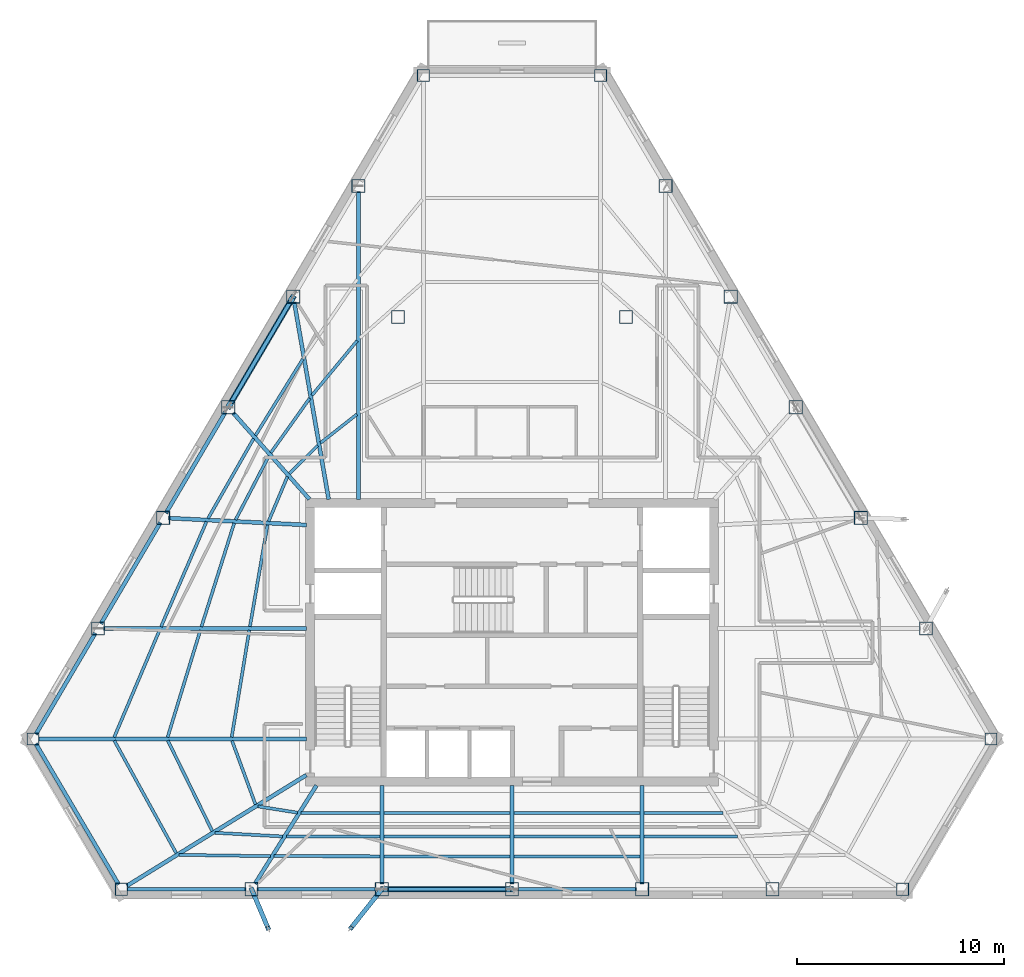
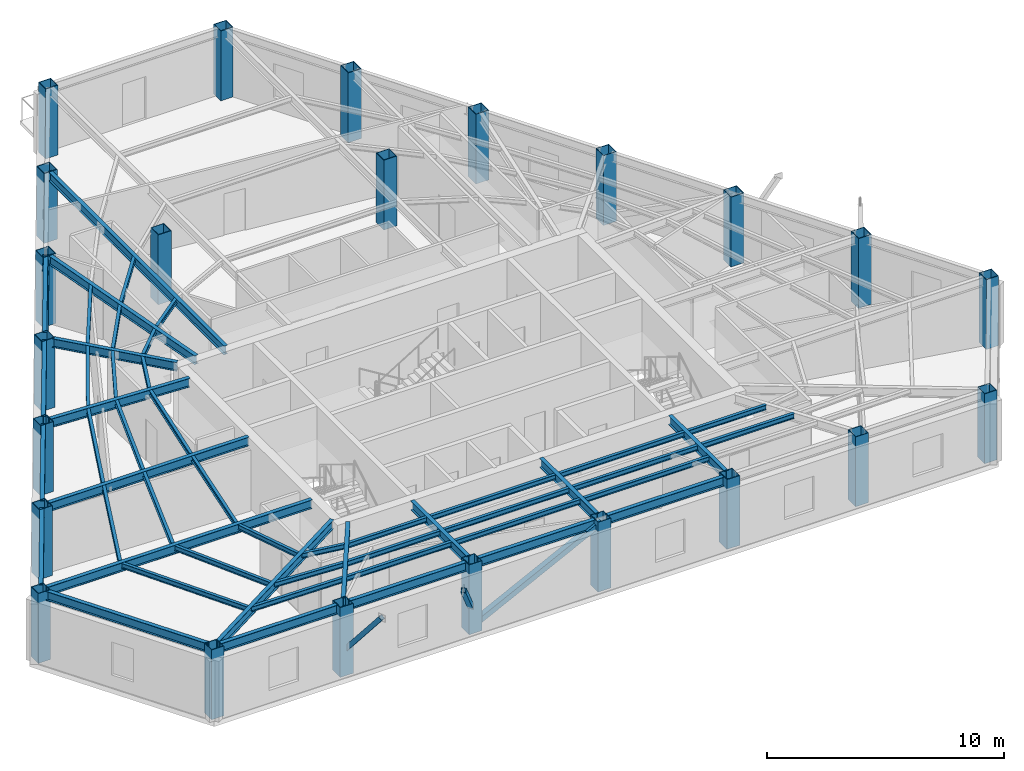
# One storey, part 1 of 12: 51 beams, 23 columns, 4 members.
"""IFC4 building model written with IfcOpenShell, lengths in metres."""

import ifcopenshell
import ifcopenshell.guid

model = None  # the IFC model being written
_history = None  # IfcOwnerHistory: only IFC2X3 demands one
_inside = {}  # id of a spatial element -> (the spatial element, [elements in it])
_under = {}  # id of a project, library or spatial element -> (it, [spatial elements below it])
_declared = {}  # id of a project -> (the project, [libraries it declares])
_typed = {}  # id of a type object -> (the type object, [elements of that type])
_made_of = {}  # id of a material, layer set ... -> (it, [elements and type objects made of it])


def new_model(schema):
    """Start an empty IFC model of exactly this schema.

    Asked for "IFC4X3", IfcOpenShell would pick the latest addendum, in which some entities
    have other attributes; the version numbers below select the first issue.
    IFC2X3 requires an IfcOwnerHistory on every rooted entity: one is made here for all.
    """
    global model, _history
    if schema == "IFC4X3":
        model = ifcopenshell.file(schema_version=(4, 3, 0, 0))
    else:
        model = ifcopenshell.file(schema=schema)
    _inside.clear()
    _under.clear()
    _declared.clear()
    _typed.clear()
    _made_of.clear()
    _history = None
    if model.schema == "IFC2X3":
        org = make("IfcOrganization", Name="unknown")
        user = make(
            "IfcPersonAndOrganization",
            ThePerson=make("IfcPerson", FamilyName="unknown"),
            TheOrganization=org,
        )
        app = make(
            "IfcApplication",
            ApplicationDeveloper=org,
            Version="unknown",
            ApplicationFullName="unknown",
            ApplicationIdentifier="unknown",
        )
        _history = make(
            "IfcOwnerHistory",
            OwningUser=user,
            OwningApplication=app,
            ChangeAction="ADDED",
            CreationDate=0,
        )
    return model


def make(cls, **values):
    """One entity of the class cls with the attributes given. An attribute that is None is left unset."""
    return model.create_entity(
        cls, **{name: value for name, value in values.items() if value is not None}
    )


def rooted(cls, **values):
    """An entity with a GlobalId (a new one), such as an element, a storey or a relation."""
    return make(cls, GlobalId=ifcopenshell.guid.new(), OwnerHistory=_history, **values)


def si_unit(unit_type, name, prefix=None):
    """IfcSIUnit, for example si_unit("LENGTHUNIT", "METRE", prefix="MILLI")."""
    return make("IfcSIUnit", UnitType=unit_type, Prefix=prefix, Name=name)


def assignment(units):
    """IfcUnitAssignment: the units of a project."""
    return None if units is None else make("IfcUnitAssignment", Units=units)


def point(xyz):
    """IfcCartesianPoint."""
    return None if xyz is None else make("IfcCartesianPoint", Coordinates=xyz)


def direction(xyz):
    """IfcDirection."""
    return None if xyz is None else make("IfcDirection", DirectionRatios=xyz)


def frame(location, z_axis=None, x_axis=None):
    """IfcAxis2Placement3D, a coordinate frame: its origin and axes. An axis left out is left unset."""
    return make(
        "IfcAxis2Placement3D",
        Location=point(location),
        Axis=direction(z_axis),
        RefDirection=direction(x_axis),
    )


def frame_2d(location, x_axis=None):
    """IfcAxis2Placement2D, a coordinate frame in the plane: its origin and x axis."""
    return make(
        "IfcAxis2Placement2D", Location=point(location), RefDirection=direction(x_axis)
    )


def origin():
    """The frame at (0, 0, 0) with its axes left unset."""
    return frame((0.0, 0.0, 0.0))


def origin_2d():
    """The frame at (0, 0) in the plane with its x axis left unset."""
    return frame_2d((0.0, 0.0))


def place(relative_to, where):
    """IfcLocalPlacement: puts the frame where relative to a parent placement (None: the world)."""
    return make(
        "IfcLocalPlacement", PlacementRelTo=relative_to, RelativePlacement=where
    )


def context(
    kind, dimensions, precision=None, world=None, true_north=None, identifier=None
):
    """IfcGeometricRepresentationContext, for example the 3D "Model" context."""
    return make(
        "IfcGeometricRepresentationContext",
        ContextIdentifier=identifier,
        ContextType=kind,
        CoordinateSpaceDimension=dimensions,
        Precision=precision,
        WorldCoordinateSystem=world,
        TrueNorth=true_north,
    )


def subcontext(parent, identifier, kind, view, scale=None):
    """IfcGeometricRepresentationSubContext, for example "Body" below "Model"."""
    return make(
        "IfcGeometricRepresentationSubContext",
        ContextIdentifier=identifier,
        ContextType=kind,
        ParentContext=parent,
        TargetScale=scale,
        TargetView=view,
    )


def project(units=None, contexts=None):
    """IfcProject with its units and contexts."""
    return rooted(
        "IfcProject",
        Name="project",
        RepresentationContexts=contexts,
        UnitsInContext=assignment(units),
    )


def spatial(cls, under=None, at=None, **own):
    """A site, building, storey or space (cls), placed at a placement, below another one or the project."""
    s = rooted(cls, ObjectPlacement=at, **own)
    if under is not None:
        _under.setdefault(under.id(), (under, []))[1].append(s)
    return s


def profile(cls, at=None, kind="AREA", **sizes):
    """A parametric profile (cls). Its sizes go by their IFC names, for example OverallWidth=200.0."""
    return make(cls, ProfileType=kind, Position=at, **sizes)


def hollow_rectangle(**sizes):
    """IfcRectangleHollowProfileDef."""
    return profile("IfcRectangleHollowProfileDef", **sizes)


def i_section(**sizes):
    """IfcIShapeProfileDef."""
    return profile("IfcIShapeProfileDef", **sizes)


def extrude(swept, where, along, depth):
    """IfcExtrudedAreaSolid: the profile swept, set in the frame where, extruded along a direction by depth."""
    return make(
        "IfcExtrudedAreaSolid",
        SweptArea=swept,
        Position=where,
        ExtrudedDirection=direction(along),
        Depth=depth,
    )


def shape(context_of_items, identifier, shape_type, items):
    """IfcShapeRepresentation: the items that make up one representation, for example the "Body"."""
    return make(
        "IfcShapeRepresentation",
        ContextOfItems=context_of_items,
        RepresentationIdentifier=identifier,
        RepresentationType=shape_type,
        Items=items,
    )


def material(Name=None, Category=None):
    """IfcMaterial."""
    return make("IfcMaterial", Name=Name, Category=Category)


def material_profile(
    of_material, cross_section, Name=None, Category=None, Priority=None
):
    """IfcMaterialProfile: a cross section and its material."""
    return make(
        "IfcMaterialProfile",
        Name=Name,
        Material=of_material,
        Profile=cross_section,
        Priority=Priority,
        Category=Category,
    )


def profile_set(profiles, Name=None, composite=None):
    """IfcMaterialProfileSet."""
    return make(
        "IfcMaterialProfileSet",
        Name=Name,
        MaterialProfiles=profiles,
        CompositeProfile=composite,
    )


def made_of(thing, what):
    """Note that an element or type object is made of a material, layer set ...; save() writes the relation."""
    if what is not None:
        _made_of.setdefault(what.id(), (what, []))[1].append(thing)
    return thing


def type_object(cls, material=None, **own):
    """A type object (cls), such as IfcWallType, which elements share."""
    return made_of(rooted(cls, **own), material)


def element(
    cls,
    number,
    at=None,
    inside=None,
    cuts=None,
    type_object=None,
    material=None,
    context=None,
    identifier="Body",
    shape_type=None,
    held_by="IfcProductDefinitionShape",
    body=None,
    shapes=None,
    **own,
):
    """One element of the class cls, such as IfcWall. Its Tag is "e" and its number.

    at: its placement. inside: the storey or other place that contains it. cuts: it is an
    opening in that element (IfcRelVoidsElement). A single representation is given by context,
    identifier, shape_type and body (its items); several are given by shapes. held_by: the class
    of the entity that holds the representations. save() writes the other relations.
    """
    e = rooted(cls, Tag="e%d" % number, ObjectPlacement=at, **own)
    if body is not None:
        shapes = [shape(context, identifier, shape_type, body)]
    if shapes is not None:
        e.Representation = make(held_by, Representations=shapes)
    if inside is not None:
        _inside.setdefault(inside.id(), (inside, []))[1].append(e)
    if cuts is not None:
        rooted(
            "IfcRelVoidsElement", RelatingBuildingElement=cuts, RelatedOpeningElement=e
        )
    if type_object is not None:
        _typed.setdefault(type_object.id(), (type_object, []))[1].append(e)
    return made_of(e, material)


def aggregate(whole, parts):
    """IfcRelAggregates: a whole, such as a stair, and the parts it consists of."""
    return rooted("IfcRelAggregates", RelatingObject=whole, RelatedObjects=parts)


def save(model, path):
    """Write the relations noted so far, then the file.

    IfcRelAggregates (storeys below a building ...), IfcRelContainedInSpatialStructure (elements
    in a storey), IfcRelDefinesByType, IfcRelAssociatesMaterial and IfcRelDeclares: one each for
    every whole, place, type object, material and project.
    """
    for whole, parts in _under.values():
        aggregate(whole, parts)
    for where, things in _inside.values():
        rooted(
            "IfcRelContainedInSpatialStructure",
            RelatedElements=things,
            RelatingStructure=where,
        )
    for kind, things in _typed.values():
        rooted("IfcRelDefinesByType", RelatedObjects=things, RelatingType=kind)
    for what, things in _made_of.values():
        rooted("IfcRelAssociatesMaterial", RelatedObjects=things, RelatingMaterial=what)
    for by, libraries in _declared.values():
        rooted("IfcRelDeclares", RelatingContext=by, RelatedDefinitions=libraries)
    model.write(path)


model = new_model("IFC4")

# Units and contexts
model_context = context("Model", 3, precision=1e-05, world=origin(), true_north=direction((0.0, 1.0)))
body_context = subcontext(model_context, "Body", "Model", "MODEL_VIEW")
ifc_project = project(units=[si_unit("LENGTHUNIT", "METRE"), si_unit("AREAUNIT", "SQUARE_METRE"), si_unit("VOLUMEUNIT", "CUBIC_METRE"), si_unit("PLANEANGLEUNIT", "RADIAN"), si_unit("MASSUNIT", "GRAM", prefix="KILO")], contexts=[model_context])

# Site, building, storey
site_placement = place(None, origin())
site = spatial("IfcSite", under=ifc_project, at=site_placement, CompositionType="ELEMENT")
building_placement = place(site_placement, origin())
building = spatial("IfcBuilding", under=site, at=building_placement, Name="Kavelnor Concourse Tower", CompositionType="ELEMENT")
storey_placement = place(building_placement, frame((0.0, 0.0, 203.5)))
storey = spatial("IfcBuildingStorey", under=building, at=storey_placement, Name="L51", CompositionType="ELEMENT", Elevation=203.5)

# Columns
ifc_material = material(Name="Steel Grade 350", Category="steel")
ifc_material_profile_1 = material_profile(ifc_material, hollow_rectangle(XDim=0.60009765625, YDim=0.60009765625, WallThickness=0.028076171875, at=origin_2d()), Name="SHS 600x600x28")
ifc_profile_set_1 = profile_set([ifc_material_profile_1], Name="Steel Grade 350")
column_type_1 = type_object("IfcColumnType", Name="COL-FOLD-Z3", PredefinedType="COLUMN", material=ifc_profile_set_1)
for number, where, z_axis, x_axis, name in (
    (1, (33.7255859375, 43.457763671875, 0.0), (0.0, 0.0, 1.0), (1.0, 0.0, 0.0), "L51 Perimeter Corner-Fold Column F0-B0"),
    (2, (14.882568359375, 11.435791015625, 0.0), (0.0, 0.0, 1.0), (1.0, 0.0, 0.0), "L51 Perimeter Corner-Fold Column F0-B6"),
    (3, (19.149169921875, 4.185302734375, 0.0), (0.0, 0.0, 1.0), (1.0, 0.0, 0.0), "L51 Perimeter Corner-Fold Column F1-B0"),
    (4, (56.850830078125, 4.185302734375, 0.0), (0.0, 0.0, 1.0), (1.0, 0.0, 0.0), "L51 Perimeter Corner-Fold Column F1-B6"),
    (5, (61.117431640625, 11.435791015625, 0.0), (0.0, 0.0, 1.0), (1.0, 0.0, 0.0), "L51 Perimeter Corner-Fold Column F2-B0"),
    (6, (42.2744140625, 43.457763671875, 0.0), (0.0, 0.0, 1.0), (1.0, 0.0, 0.0), "L51 Perimeter Corner-Fold Column F2-B6"),
):
    element("IfcColumn", number, at=place(storey_placement, frame(where, z_axis=z_axis, x_axis=x_axis)), inside=storey, type_object=column_type_1, Name=name, PredefinedType="COLUMN", context=body_context, shape_type="SweptSolid", body=[
        extrude(hollow_rectangle(XDim=0.60009765625, YDim=0.60009765625, WallThickness=0.028076171875, at=origin_2d()), origin(), (0.0, 0.0, 1.0), 3.60009765625),
    ])
ifc_material_profile_2 = material_profile(ifc_material, hollow_rectangle(XDim=0.639892578125, YDim=0.639892578125, WallThickness=0.028076171875, at=origin_2d()), Name="SHS 640x640x28")
ifc_profile_set_2 = profile_set([ifc_material_profile_2], Name="Steel Grade 350")
column_type_2 = type_object("IfcColumnType", Name="COL-TUBE-Z3", PredefinedType="COLUMN", material=ifc_profile_set_2)
for number, where, z_axis, x_axis, name in (
    (7, (30.585205078125, 38.12060546875, 0.0), (0.0, 0.0, 1.0), (1.0, 0.0, 0.0), "L51 Perimeter Framed-Tube Column F0-B1"),
    (8, (27.444580078125, 32.78369140625, 0.0), (0.0, 0.0, 1.0), (1.0, 0.0, 0.0), "L51 Perimeter Framed-Tube Column F0-B2"),
    (9, (24.30419921875, 27.44677734375, 0.0), (0.0, 0.0, 1.0), (1.0, 0.0, 0.0), "L51 Perimeter Framed-Tube Column F0-B3"),
    (10, (21.16357421875, 22.10986328125, 0.0), (0.0, 0.0, 1.0), (1.0, 0.0, 0.0), "L51 Perimeter Framed-Tube Column F0-B4"),
    (11, (18.023193359375, 16.772705078125, 0.0), (0.0, 0.0, 1.0), (1.0, 0.0, 0.0), "L51 Perimeter Framed-Tube Column F0-B5"),
    (12, (25.4326171875, 4.185302734375, 0.0), (0.0, 0.0, 1.0), (1.0, 0.0, 0.0), "L51 Perimeter Framed-Tube Column F1-B1"),
    (13, (31.71630859375, 4.185302734375, 0.0), (0.0, 0.0, 1.0), (1.0, 0.0, 0.0), "L51 Perimeter Framed-Tube Column F1-B2"),
    (14, (38.0, 4.185302734375, 0.0), (0.0, 0.0, 1.0), (1.0, 0.0, 0.0), "L51 Perimeter Framed-Tube Column F1-B3"),
    (15, (44.28369140625, 4.185302734375, 0.0), (0.0, 0.0, 1.0), (1.0, 0.0, 0.0), "L51 Perimeter Framed-Tube Column F1-B4"),
    (16, (50.5673828125, 4.185302734375, 0.0), (0.0, 0.0, 1.0), (1.0, 0.0, 0.0), "L51 Perimeter Framed-Tube Column F1-B5"),
    (17, (57.976806640625, 16.772705078125, 0.0), (0.0, 0.0, 1.0), (1.0, 0.0, 0.0), "L51 Perimeter Framed-Tube Column F2-B1"),
    (18, (54.83642578125, 22.10986328125, 0.0), (0.0, 0.0, 1.0), (1.0, 0.0, 0.0), "L51 Perimeter Framed-Tube Column F2-B2"),
    (19, (51.69580078125, 27.44677734375, 0.0), (0.0, 0.0, 1.0), (1.0, 0.0, 0.0), "L51 Perimeter Framed-Tube Column F2-B3"),
    (20, (48.555419921875, 32.78369140625, 0.0), (0.0, 0.0, 1.0), (1.0, 0.0, 0.0), "L51 Perimeter Framed-Tube Column F2-B4"),
    (21, (45.414794921875, 38.12060546875, 0.0), (0.0, 0.0, 1.0), (1.0, 0.0, 0.0), "L51 Perimeter Framed-Tube Column F2-B5"),
    (22, (32.5, 31.800048828125, 0.0), (0.0, 0.0, 1.0), (1.0, 0.0, 0.0), "L51 North Interior Gravity Column BC-NW"),
    (23, (43.5, 31.800048828125, 0.0), (0.0, 0.0, 1.0), (1.0, 0.0, 0.0), "L51 North Interior Gravity Column BC-NE"),
):
    element("IfcColumn", number, at=place(storey_placement, frame(where, z_axis=z_axis, x_axis=x_axis)), inside=storey, type_object=column_type_2, Name=name, PredefinedType="COLUMN", context=body_context, shape_type="SweptSolid", body=[
        extrude(hollow_rectangle(XDim=0.639892578125, YDim=0.639892578125, WallThickness=0.028076171875, at=origin_2d()), origin(), (0.0, 0.0, 1.0), 3.60009765625),
    ])

# Beams
ifc_material_profile_3 = material_profile(ifc_material, i_section(OverallWidth=0.14599609375, OverallDepth=0.256103515625, WebThickness=0.00634765625, FlangeThickness=0.010986328125, at=origin_2d()), Name="250UB37")
ifc_profile_set_3 = profile_set([ifc_material_profile_3], Name="Steel Grade 350")
beam_type_1 = type_object("IfcBeamType", Name="BM-JOIST-250", PredefinedType="JOIST", material=ifc_profile_set_3)
beam_1_placement = place(storey_placement, frame((24.48828125, 11.352294921875, 3.471923828125), z_axis=(0.345459903826, -0.93843351115, 0.0), x_axis=(0.93843351115, 0.345459903826, 0.0)))
element("IfcBeam", 24, at=beam_1_placement, inside=storey, type_object=beam_type_1, Name="L51 Secondary Composite Joist 01-1", PredefinedType="JOIST", context=body_context, shape_type="SweptSolid", body=[
    extrude(i_section(OverallWidth=0.14599609375, OverallDepth=0.256103515625, WebThickness=0.00634765625, FlangeThickness=0.010986328125, at=origin_2d()), origin(), (0.0, 0.0, 1.0), 3.272705078125),
])
beam_2_placement = place(storey_placement, frame((21.391845703125, 11.35595703125, 3.471923828125), z_axis=(0.440567902656, -0.897719289728, 0.0), x_axis=(0.897719289728, 0.440567902656, 0.0)))
element("IfcBeam", 25, at=beam_2_placement, inside=storey, type_object=beam_type_1, Name="L51 Secondary Composite Joist 01-2", PredefinedType="JOIST", context=body_context, shape_type="SweptSolid", body=[
    extrude(i_section(OverallWidth=0.14599609375, OverallDepth=0.256103515625, WebThickness=0.00634765625, FlangeThickness=0.010986328125, at=origin_2d()), origin(), (0.0, 0.0, 1.0), 4.858154296875),
])
beam_3_placement = place(storey_placement, frame((18.80810546875, 11.35791015625, 3.471923828125), z_axis=(0.481891547768, -0.876230869229, 0.0), x_axis=(0.876230869229, 0.481891547768, 0.0)))
element("IfcBeam", 26, at=beam_3_placement, inside=storey, type_object=beam_type_1, Name="L51 Secondary Composite Joist 01-3", PredefinedType="JOIST", context=body_context, shape_type="SweptSolid", body=[
    extrude(i_section(OverallWidth=0.14599609375, OverallDepth=0.256103515625, WebThickness=0.00634765625, FlangeThickness=0.010986328125, at=origin_2d()), origin(), (0.0, 0.0, 1.0), 6.20166015625),
])
beam_4_placement = place(storey_placement, frame((25.7373046875, 8.18359375, 3.471923828125), z_axis=(0.987569610251, -0.157182266524, 0.0), x_axis=(0.157182266524, 0.987569610251, 0.0)))
element("IfcBeam", 27, at=beam_4_placement, inside=storey, type_object=beam_type_1, Name="L51 Secondary Composite Joist 02-1", PredefinedType="JOIST", context=body_context, shape_type="SweptSolid", body=[
    extrude(i_section(OverallWidth=0.14599609375, OverallDepth=0.256103515625, WebThickness=0.00634765625, FlangeThickness=0.010986328125, at=origin_2d()), origin(), (0.0, 0.0, 1.0), 1.93212890625),
])
beam_5_placement = place(storey_placement, frame((23.66015625, 6.909912109375, 3.471923828125), z_axis=(0.998536843301, -0.054075618994, 0.0), x_axis=(0.054075618994, 0.998536843301, 0.0)))
element("IfcBeam", 28, at=beam_5_placement, inside=storey, type_object=beam_type_1, Name="L51 Secondary Composite Joist 02-2", PredefinedType="JOIST", context=body_context, shape_type="SweptSolid", body=[
    extrude(i_section(OverallWidth=0.14599609375, OverallDepth=0.256103515625, WebThickness=0.00634765625, FlangeThickness=0.010986328125, at=origin_2d()), origin(), (0.0, 0.0, 1.0), 3.27783203125),
])
beam_6_placement = place(storey_placement, frame((21.9287109375, 5.844482421875, 3.471923828125), z_axis=(0.999894891975, -0.014498448265, 0.0), x_axis=(0.014498448265, 0.999894891975, 0.0)))
element("IfcBeam", 29, at=beam_6_placement, inside=storey, type_object=beam_type_1, Name="L51 Secondary Composite Joist 02-3", PredefinedType="JOIST", context=body_context, shape_type="SweptSolid", body=[
    extrude(i_section(OverallWidth=0.14599609375, OverallDepth=0.256103515625, WebThickness=0.00634765625, FlangeThickness=0.010986328125, at=origin_2d()), origin(), (0.0, 0.0, 1.0), 4.411865234375),
])
beam_7_placement = place(storey_placement, frame((27.822509765625, 7.8662109375, 3.471923828125), z_axis=(0.999999794147, 0.000641642473, 0.0), x_axis=(-0.000641642473, 0.999999794147, 0.0)))
element("IfcBeam", 30, at=beam_7_placement, inside=storey, type_object=beam_type_1, Name="L51 Secondary Composite Joist 03-1", PredefinedType="JOIST", context=body_context, shape_type="SweptSolid", body=[
    extrude(i_section(OverallWidth=0.14599609375, OverallDepth=0.256103515625, WebThickness=0.00634765625, FlangeThickness=0.010986328125, at=origin_2d()), origin(), (0.0, 0.0, 1.0), 3.804931640625),
])
beam_8_placement = place(storey_placement, frame((27.111083984375, 6.727783203125, 3.471923828125), z_axis=(0.999999998539, -5.4056976e-05, 0.0), x_axis=(5.4056976e-05, 0.999999998539, 0.0)))
element("IfcBeam", 31, at=beam_8_placement, inside=storey, type_object=beam_type_1, Name="L51 Secondary Composite Joist 03-2", PredefinedType="JOIST", context=body_context, shape_type="SweptSolid", body=[
    extrude(i_section(OverallWidth=0.14599609375, OverallDepth=0.256103515625, WebThickness=0.00634765625, FlangeThickness=0.010986328125, at=origin_2d()), origin(), (0.0, 0.0, 1.0), 4.516357421875),
])
beam_9_placement = place(storey_placement, frame((26.51806640625, 5.779296875, 3.471923828125), z_axis=(0.999999861866, -0.000525611548, 0.0), x_axis=(0.000525611548, 0.999999861866, 0.0)))
element("IfcBeam", 32, at=beam_9_placement, inside=storey, type_object=beam_type_1, Name="L51 Secondary Composite Joist 03-3", PredefinedType="JOIST", context=body_context, shape_type="SweptSolid", body=[
    extrude(i_section(OverallWidth=0.14599609375, OverallDepth=0.256103515625, WebThickness=0.00634765625, FlangeThickness=0.010986328125, at=origin_2d()), origin(), (0.0, 0.0, 1.0), 5.109375),
])
for number, where, z_axis, x_axis, name in (
    (33, (31.805419921875, 7.86865234375, 3.471923828125), (1.0, 0.0, 0.0), (0.0, 1.0, 0.0), "L51 Secondary Composite Joist 04-1"),
    (34, (31.805419921875, 6.7275390625, 3.471923828125), (1.0, 0.0, 0.0), (0.0, 1.0, 0.0), "L51 Secondary Composite Joist 04-2"),
    (35, (31.805419921875, 5.776611328125, 3.471923828125), (1.0, 0.0, 0.0), (0.0, 1.0, 0.0), "L51 Secondary Composite Joist 04-3"),
    (36, (38.089111328125, 7.86865234375, 3.471923828125), (1.0, 0.0, 0.0), (0.0, 1.0, 0.0), "L51 Secondary Composite Joist 05-1"),
    (37, (38.089111328125, 6.7275390625, 3.471923828125), (1.0, 0.0, 0.0), (0.0, 1.0, 0.0), "L51 Secondary Composite Joist 05-2"),
    (38, (38.089111328125, 5.776611328125, 3.471923828125), (1.0, 0.0, 0.0), (0.0, 1.0, 0.0), "L51 Secondary Composite Joist 05-3"),
):
    element("IfcBeam", number, at=place(storey_placement, frame(where, z_axis=z_axis, x_axis=x_axis)), inside=storey, type_object=beam_type_1, Name=name, PredefinedType="JOIST", context=body_context, shape_type="SweptSolid", body=[
        extrude(i_section(OverallWidth=0.14599609375, OverallDepth=0.256103515625, WebThickness=0.00634765625, FlangeThickness=0.010986328125, at=origin_2d()), origin(), (0.0, 0.0, 1.0), 6.10546875),
    ])
beam_10_placement = place(storey_placement, frame((44.37255859375, 7.86865234375, 3.471923828125), z_axis=(0.999999794147, -0.000641642473, 0.0), x_axis=(0.000641642473, 0.999999794147, 0.0)))
element("IfcBeam", 39, at=beam_10_placement, inside=storey, type_object=beam_type_1, Name="L51 Secondary Composite Joist 06-1", PredefinedType="JOIST", context=body_context, shape_type="SweptSolid", body=[
    extrude(i_section(OverallWidth=0.14599609375, OverallDepth=0.256103515625, WebThickness=0.00634765625, FlangeThickness=0.010986328125, at=origin_2d()), origin(), (0.0, 0.0, 1.0), 3.804931640625),
])
beam_11_placement = place(storey_placement, frame((44.37255859375, 6.7275390625, 3.471923828125), z_axis=(0.999999998539, 5.4056976e-05, 0.0), x_axis=(-5.4056976e-05, 0.999999998539, 0.0)))
element("IfcBeam", 40, at=beam_11_placement, inside=storey, type_object=beam_type_1, Name="L51 Secondary Composite Joist 06-2", PredefinedType="JOIST", context=body_context, shape_type="SweptSolid", body=[
    extrude(i_section(OverallWidth=0.14599609375, OverallDepth=0.256103515625, WebThickness=0.00634765625, FlangeThickness=0.010986328125, at=origin_2d()), origin(), (0.0, 0.0, 1.0), 4.516357421875),
])
beam_12_placement = place(storey_placement, frame((30.51513671875, 27.10595703125, 3.471923828125), z_axis=(-0.785731108186, -0.618568206125, 0.0), x_axis=(0.618568206125, -0.785731108186, 0.0)))
element("IfcBeam", 41, at=beam_12_placement, inside=storey, type_object=beam_type_1, Name="L51 Secondary Composite Joist 17-1", PredefinedType="JOIST", context=body_context, shape_type="SweptSolid", body=[
    extrude(i_section(OverallWidth=0.14599609375, OverallDepth=0.256103515625, WebThickness=0.00634765625, FlangeThickness=0.010986328125, at=origin_2d()), origin(), (0.0, 0.0, 1.0), 2.237548828125),
])
beam_13_placement = place(storey_placement, frame((30.5283203125, 30.658935546875, 3.471923828125), z_axis=(-0.637607110081, -0.770361715803, 0.0), x_axis=(0.770361715803, -0.637607110081, 0.0)))
element("IfcBeam", 42, at=beam_13_placement, inside=storey, type_object=beam_type_1, Name="L51 Secondary Composite Joist 17-2", PredefinedType="JOIST", context=body_context, shape_type="SweptSolid", body=[
    extrude(i_section(OverallWidth=0.14599609375, OverallDepth=0.256103515625, WebThickness=0.00634765625, FlangeThickness=0.010986328125, at=origin_2d()), origin(), (0.0, 0.0, 1.0), 3.42431640625),
])
beam_14_placement = place(storey_placement, frame((28.624267578125, 25.60400390625, 3.471923828125), z_axis=(-0.708242693493, -0.705969041186, 0.0), x_axis=(0.705969041186, -0.708242693493, 0.0)))
element("IfcBeam", 43, at=beam_14_placement, inside=storey, type_object=beam_type_1, Name="L51 Secondary Composite Joist 18-1", PredefinedType="JOIST", context=body_context, shape_type="SweptSolid", body=[
    extrude(i_section(OverallWidth=0.14599609375, OverallDepth=0.256103515625, WebThickness=0.00634765625, FlangeThickness=0.010986328125, at=origin_2d()), origin(), (0.0, 0.0, 1.0), 1.932861328125),
])
beam_15_placement = place(storey_placement, frame((28.236572265625, 27.8798828125, 3.471923828125), z_axis=(-0.580566079547, -0.814213133817, 0.0), x_axis=(0.814213133817, -0.580566079547, 0.0)))
element("IfcBeam", 44, at=beam_15_placement, inside=storey, type_object=beam_type_1, Name="L51 Secondary Composite Joist 18-2", PredefinedType="JOIST", context=body_context, shape_type="SweptSolid", body=[
    extrude(i_section(OverallWidth=0.14599609375, OverallDepth=0.256103515625, WebThickness=0.00634765625, FlangeThickness=0.010986328125, at=origin_2d()), origin(), (0.0, 0.0, 1.0), 3.23095703125),
])
beam_16_placement = place(storey_placement, frame((27.90869140625, 29.781005859375, 3.471923828125), z_axis=(-0.52656149454, -0.850137043345, 0.0), x_axis=(0.850137043345, -0.52656149454, 0.0)))
element("IfcBeam", 45, at=beam_16_placement, inside=storey, type_object=beam_type_1, Name="L51 Secondary Composite Joist 18-3", PredefinedType="JOIST", context=body_context, shape_type="SweptSolid", body=[
    extrude(i_section(OverallWidth=0.14599609375, OverallDepth=0.256103515625, WebThickness=0.00634765625, FlangeThickness=0.010986328125, at=origin_2d()), origin(), (0.0, 0.0, 1.0), 4.3466796875),
])
beam_17_placement = place(storey_placement, frame((27.157958984375, 24.0947265625, 3.471923828125), z_axis=(-0.388000984509, -0.921658958628, 0.0), x_axis=(0.921658958628, -0.388000984509, 0.0)))
element("IfcBeam", 46, at=beam_17_placement, inside=storey, type_object=beam_type_1, Name="L51 Secondary Composite Joist 19-1", PredefinedType="JOIST", context=body_context, shape_type="SweptSolid", body=[
    extrude(i_section(OverallWidth=0.14599609375, OverallDepth=0.256103515625, WebThickness=0.00634765625, FlangeThickness=0.010986328125, at=origin_2d()), origin(), (0.0, 0.0, 1.0), 2.338134765625),
])
beam_18_placement = place(storey_placement, frame((26.26806640625, 25.097900390625, 3.471923828125), z_axis=(-0.462654818884, -0.886538503712, 0.0), x_axis=(0.886538503712, -0.462654818884, 0.0)))
element("IfcBeam", 47, at=beam_18_placement, inside=storey, type_object=beam_type_1, Name="L51 Secondary Composite Joist 19-2", PredefinedType="JOIST", context=body_context, shape_type="SweptSolid", body=[
    extrude(i_section(OverallWidth=0.14599609375, OverallDepth=0.256103515625, WebThickness=0.00634765625, FlangeThickness=0.010986328125, at=origin_2d()), origin(), (0.0, 0.0, 1.0), 3.475830078125),
])
beam_19_placement = place(storey_placement, frame((25.529052734375, 25.932861328125, 3.471923828125), z_axis=(-0.495540003504, -0.868585116685, 0.0), x_axis=(0.868585116685, -0.495540003504, 0.0)))
element("IfcBeam", 48, at=beam_19_placement, inside=storey, type_object=beam_type_1, Name="L51 Secondary Composite Joist 19-3", PredefinedType="JOIST", context=body_context, shape_type="SweptSolid", body=[
    extrude(i_section(OverallWidth=0.14599609375, OverallDepth=0.256103515625, WebThickness=0.00634765625, FlangeThickness=0.010986328125, at=origin_2d()), origin(), (0.0, 0.0, 1.0), 4.4345703125),
])
beam_20_placement = place(storey_placement, frame((26.200927734375, 21.77001953125, 3.471923828125), z_axis=(-0.170379487714, -0.985378521263, 0.0), x_axis=(0.985378521263, -0.170379487714, 0.0)))
element("IfcBeam", 49, at=beam_20_placement, inside=storey, type_object=beam_type_1, Name="L51 Secondary Composite Joist 20-1", PredefinedType="JOIST", context=body_context, shape_type="SweptSolid", body=[
    extrude(i_section(OverallWidth=0.14599609375, OverallDepth=0.256103515625, WebThickness=0.00634765625, FlangeThickness=0.010986328125, at=origin_2d()), origin(), (0.0, 0.0, 1.0), 4.982177734375),
])
beam_21_placement = place(storey_placement, frame((24.591796875, 21.8525390625, 3.471923828125), z_axis=(-0.301481523568, -0.953472018964, 0.0), x_axis=(0.953472018964, -0.301481523568, 0.0)))
element("IfcBeam", 50, at=beam_21_placement, inside=storey, type_object=beam_type_1, Name="L51 Secondary Composite Joist 20-2", PredefinedType="JOIST", context=body_context, shape_type="SweptSolid", body=[
    extrude(i_section(OverallWidth=0.14599609375, OverallDepth=0.256103515625, WebThickness=0.00634765625, FlangeThickness=0.010986328125, at=origin_2d()), origin(), (0.0, 0.0, 1.0), 5.238525390625),
])
beam_22_placement = place(storey_placement, frame((23.252197265625, 21.922119140625, 3.471923828125), z_axis=(-0.396799383043, -0.917905359837, 0.0), x_axis=(0.917905359837, -0.396799383043, 0.0)))
element("IfcBeam", 51, at=beam_22_placement, inside=storey, type_object=beam_type_1, Name="L51 Secondary Composite Joist 20-3", PredefinedType="JOIST", context=body_context, shape_type="SweptSolid", body=[
    extrude(i_section(OverallWidth=0.14599609375, OverallDepth=0.256103515625, WebThickness=0.00634765625, FlangeThickness=0.010986328125, at=origin_2d()), origin(), (0.0, 0.0, 1.0), 5.520751953125),
])
beam_23_placement = place(storey_placement, frame((25.322509765625, 16.68505859375, 3.471923828125), z_axis=(-0.162604999741, -0.986691245557, 0.0), x_axis=(0.986691245557, -0.162604999741, 0.0)))
element("IfcBeam", 52, at=beam_23_placement, inside=storey, type_object=beam_type_1, Name="L51 Secondary Composite Joist 21-1", PredefinedType="JOIST", context=body_context, shape_type="SweptSolid", body=[
    extrude(i_section(OverallWidth=0.14599609375, OverallDepth=0.256103515625, WebThickness=0.00634765625, FlangeThickness=0.010986328125, at=origin_2d()), origin(), (0.0, 0.0, 1.0), 5.23095703125),
])
beam_24_placement = place(storey_placement, frame((22.959716796875, 16.687744140625, 3.471923828125), z_axis=(-0.292612253464, -0.956231179748, 0.0), x_axis=(0.956231179748, -0.292612253464, 0.0)))
element("IfcBeam", 53, at=beam_24_placement, inside=storey, type_object=beam_type_1, Name="L51 Secondary Composite Joist 21-2", PredefinedType="JOIST", context=body_context, shape_type="SweptSolid", body=[
    extrude(i_section(OverallWidth=0.14599609375, OverallDepth=0.256103515625, WebThickness=0.00634765625, FlangeThickness=0.010986328125, at=origin_2d()), origin(), (0.0, 0.0, 1.0), 5.4033203125),
])
beam_25_placement = place(storey_placement, frame((20.991455078125, 16.69091796875, 3.471923828125), z_axis=(-0.39008222311, -0.920780027593, 0.0), x_axis=(0.920780027593, -0.39008222311, 0.0)))
element("IfcBeam", 54, at=beam_25_placement, inside=storey, type_object=beam_type_1, Name="L51 Secondary Composite Joist 21-3", PredefinedType="JOIST", context=body_context, shape_type="SweptSolid", body=[
    extrude(i_section(OverallWidth=0.14599609375, OverallDepth=0.256103515625, WebThickness=0.00634765625, FlangeThickness=0.010986328125, at=origin_2d()), origin(), (0.0, 0.0, 1.0), 5.618408203125),
])
ifc_material_profile_4 = material_profile(ifc_material, i_section(OverallWidth=0.18994140625, OverallDepth=0.4541015625, WebThickness=0.008544921875, FlangeThickness=0.0126953125, at=origin_2d()), Name="460UB67")
ifc_profile_set_4 = profile_set([ifc_material_profile_4], Name="Steel Grade 350")
beam_type_2 = type_object("IfcBeamType", Name="BM-PRIMARY-460", PredefinedType="BEAM", material=ifc_profile_set_4)
beam_26_placement = place(storey_placement, frame((30.585205078125, 23.0, 3.373046875), z_axis=(0.0, 1.0, 0.0), x_axis=(-1.0, 0.0, 0.0)))
element("IfcBeam", 55, at=beam_26_placement, inside=storey, type_object=beam_type_2, Name="L51 Primary Floor Girder F0-B1", PredefinedType="BEAM", context=body_context, shape_type="SweptSolid", body=[
    extrude(i_section(OverallWidth=0.18994140625, OverallDepth=0.4541015625, WebThickness=0.008544921875, FlangeThickness=0.0126953125, at=origin_2d()), origin(), (0.0, 0.0, 1.0), 14.860595703125),
])
beam_27_placement = place(storey_placement, frame((29.15283203125, 23.00048828125, 3.373046875), z_axis=(-0.172015806316, 0.985094189597, 0.0), x_axis=(-0.985094189597, -0.172015806316, 0.0)))
element("IfcBeam", 56, at=beam_27_placement, inside=storey, type_object=beam_type_2, Name="L51 Primary Floor Girder F0-B2", PredefinedType="BEAM", context=body_context, shape_type="SweptSolid", body=[
    extrude(i_section(OverallWidth=0.18994140625, OverallDepth=0.4541015625, WebThickness=0.008544921875, FlangeThickness=0.0126953125, at=origin_2d()), origin(), (0.0, 0.0, 1.0), 9.666748046875),
])
beam_28_placement = place(storey_placement, frame((28.222900390625, 23.010009765625, 3.373046875), z_axis=(-0.66201370293, 0.749491732531, 0.0), x_axis=(-0.749491732531, -0.66201370293, 0.0)))
element("IfcBeam", 57, at=beam_28_placement, inside=storey, type_object=beam_type_2, Name="L51 Primary Floor Girder F0-B3", PredefinedType="BEAM", context=body_context, shape_type="SweptSolid", body=[
    extrude(i_section(OverallWidth=0.18994140625, OverallDepth=0.4541015625, WebThickness=0.008544921875, FlangeThickness=0.0126953125, at=origin_2d()), origin(), (0.0, 0.0, 1.0), 5.559326171875),
])
beam_29_placement = place(storey_placement, frame((28.080078125, 21.764892578125, 3.373046875), z_axis=(-0.998760091604, 0.049782320355, 0.0), x_axis=(-0.049782320355, -0.998760091604, 0.0)))
element("IfcBeam", 58, at=beam_29_placement, inside=storey, type_object=beam_type_2, Name="L51 Primary Floor Girder F0-B4", PredefinedType="BEAM", context=body_context, shape_type="SweptSolid", body=[
    extrude(i_section(OverallWidth=0.18994140625, OverallDepth=0.4541015625, WebThickness=0.008544921875, FlangeThickness=0.0126953125, at=origin_2d()), origin(), (0.0, 0.0, 1.0), 6.664794921875),
])
beam_30_placement = place(storey_placement, frame((28.080078125, 16.772705078125, 3.373046875), z_axis=(-1.0, 0.0, 0.0), x_axis=(0.0, -1.0, 0.0)))
element("IfcBeam", 59, at=beam_30_placement, inside=storey, type_object=beam_type_2, Name="L51 Primary Floor Girder F0-B5", PredefinedType="BEAM", context=body_context, shape_type="SweptSolid", body=[
    extrude(i_section(OverallWidth=0.18994140625, OverallDepth=0.4541015625, WebThickness=0.008544921875, FlangeThickness=0.0126953125, at=origin_2d()), origin(), (0.0, 0.0, 1.0), 9.796875),
])
beam_31_placement = place(storey_placement, frame((28.080078125, 11.435791015625, 3.373046875), z_axis=(-1.0, 0.0, 0.0), x_axis=(0.0, -1.0, 0.0)))
element("IfcBeam", 60, at=beam_31_placement, inside=storey, type_object=beam_type_2, Name="L51 Primary Floor Girder F0-B6", PredefinedType="BEAM", context=body_context, shape_type="SweptSolid", body=[
    extrude(i_section(OverallWidth=0.18994140625, OverallDepth=0.4541015625, WebThickness=0.008544921875, FlangeThickness=0.0126953125, at=origin_2d()), origin(), (0.0, 0.0, 1.0), 12.9375),
])
beam_32_placement = place(storey_placement, frame((28.073974609375, 9.69384765625, 3.373046875), z_axis=(-0.850970531996, -0.525213436304, 0.0), x_axis=(0.525213436304, -0.850970531996, 0.0)))
element("IfcBeam", 61, at=beam_32_placement, inside=storey, type_object=beam_type_2, Name="L51 Primary Floor Girder F1-B0", PredefinedType="BEAM", context=body_context, shape_type="SweptSolid", body=[
    extrude(i_section(OverallWidth=0.18994140625, OverallDepth=0.4541015625, WebThickness=0.008544921875, FlangeThickness=0.0126953125, at=origin_2d()), origin(), (0.0, 0.0, 1.0), 10.17529296875),
])
beam_33_placement = place(storey_placement, frame((28.563720703125, 9.19384765625, 3.373046875), z_axis=(-0.530073490706, -0.847951705259, 0.0), x_axis=(0.847951705259, -0.530073490706, 0.0)))
element("IfcBeam", 62, at=beam_33_placement, inside=storey, type_object=beam_type_2, Name="L51 Primary Floor Girder F1-B1", PredefinedType="BEAM", context=body_context, shape_type="SweptSolid", body=[
    extrude(i_section(OverallWidth=0.18994140625, OverallDepth=0.4541015625, WebThickness=0.008544921875, FlangeThickness=0.0126953125, at=origin_2d()), origin(), (0.0, 0.0, 1.0), 5.5927734375),
])
for number, where, z_axis, x_axis, name in (
    (63, (31.71630859375, 9.199951171875, 3.373046875), (0.0, -1.0, 0.0), (1.0, 0.0, 0.0), "L51 Primary Floor Girder F1-B2"),
    (64, (38.0, 9.199951171875, 3.373046875), (0.0, -1.0, 0.0), (1.0, 0.0, 0.0), "L51 Primary Floor Girder F1-B3"),
    (65, (44.28369140625, 9.199951171875, 3.373046875), (0.0, -1.0, 0.0), (1.0, 0.0, 0.0), "L51 Primary Floor Girder F1-B4"),
):
    element("IfcBeam", number, at=place(storey_placement, frame(where, z_axis=z_axis, x_axis=x_axis)), inside=storey, type_object=beam_type_2, Name=name, PredefinedType="BEAM", context=body_context, shape_type="SweptSolid", body=[
        extrude(i_section(OverallWidth=0.18994140625, OverallDepth=0.4541015625, WebThickness=0.008544921875, FlangeThickness=0.0126953125, at=origin_2d()), origin(), (0.0, 0.0, 1.0), 4.754638671875),
    ])
ifc_material_profile_5 = material_profile(ifc_material, i_section(OverallWidth=0.19091796875, OverallDepth=0.4599609375, WebThickness=0.010009765625, FlangeThickness=0.01611328125, at=origin_2d()), Name="460UB82")
ifc_profile_set_5 = profile_set([ifc_material_profile_5], Name="Steel Grade 350")
beam_type_3 = type_object("IfcBeamType", Name="BM-SPANDREL-Z3", PredefinedType="SPANDREL", material=ifc_profile_set_5)
beam_34_placement = place(storey_placement, frame((27.310302734375, 32.555419921875, 3.3701171875), z_axis=(-0.507172742374, -0.861844422963, 0.0), x_axis=(0.861844422963, -0.507172742374, 0.0)))
element("IfcBeam", 66, at=beam_34_placement, inside=storey, type_object=beam_type_3, Name="L51 Perimeter Tube Spandrel Beam F0-B2", PredefinedType="SPANDREL", context=body_context, shape_type="SweptSolid", body=[
    extrude(i_section(OverallWidth=0.19091796875, OverallDepth=0.4599609375, WebThickness=0.010009765625, FlangeThickness=0.01611328125, at=origin_2d()), origin(), (0.0, 0.0, 1.0), 5.662353515625),
])
beam_35_placement = place(storey_placement, frame((24.169677734375, 27.218505859375, 3.3701171875), z_axis=(-0.507121870648, -0.861874357613, 0.0), x_axis=(0.861874357613, -0.507121870648, 0.0)))
element("IfcBeam", 67, at=beam_35_placement, inside=storey, type_object=beam_type_3, Name="L51 Perimeter Tube Spandrel Beam F0-B3", PredefinedType="SPANDREL", context=body_context, shape_type="SweptSolid", body=[
    extrude(i_section(OverallWidth=0.19091796875, OverallDepth=0.4599609375, WebThickness=0.010009765625, FlangeThickness=0.01611328125, at=origin_2d()), origin(), (0.0, 0.0, 1.0), 5.66259765625),
])
for number, where, z_axis, x_axis, name in (
    (68, (21.029296875, 21.88134765625, 3.3701171875), (-0.507172742374, -0.861844422963, 0.0), (0.861844422963, -0.507172742374, 0.0), "L51 Perimeter Tube Spandrel Beam F0-B4"),
    (69, (17.888671875, 16.54443359375, 3.3701171875), (-0.50714071585, -0.861863268928, 0.0), (0.861863268928, -0.50714071585, 0.0), "L51 Perimeter Tube Spandrel Beam F0-B5"),
):
    element("IfcBeam", number, at=place(storey_placement, frame(where, z_axis=z_axis, x_axis=x_axis)), inside=storey, type_object=beam_type_3, Name=name, PredefinedType="SPANDREL", context=body_context, shape_type="SweptSolid", body=[
        extrude(i_section(OverallWidth=0.19091796875, OverallDepth=0.4599609375, WebThickness=0.010009765625, FlangeThickness=0.01611328125, at=origin_2d()), origin(), (0.0, 0.0, 1.0), 5.662353515625),
    ])
for number, where, z_axis, x_axis, name in (
    (70, (19.4140625, 4.185302734375, 3.3701171875), (1.0, 0.0, 0.0), (0.0, 1.0, 0.0), "L51 Perimeter Tube Spandrel Beam F1-B0"),
    (71, (25.69775390625, 4.185302734375, 3.3701171875), (1.0, 0.0, 0.0), (0.0, 1.0, 0.0), "L51 Perimeter Tube Spandrel Beam F1-B1"),
    (72, (31.9814453125, 4.185302734375, 3.3701171875), (1.0, 0.0, 0.0), (0.0, 1.0, 0.0), "L51 Perimeter Tube Spandrel Beam F1-B2"),
    (73, (38.264892578125, 4.185302734375, 3.3701171875), (1.0, 0.0, 0.0), (0.0, 1.0, 0.0), "L51 Perimeter Tube Spandrel Beam F1-B3"),
):
    element("IfcBeam", number, at=place(storey_placement, frame(where, z_axis=z_axis, x_axis=x_axis)), inside=storey, type_object=beam_type_3, Name=name, PredefinedType="SPANDREL", context=body_context, shape_type="SweptSolid", body=[
        extrude(i_section(OverallWidth=0.19091796875, OverallDepth=0.4599609375, WebThickness=0.010009765625, FlangeThickness=0.01611328125, at=origin_2d()), origin(), (0.0, 0.0, 1.0), 5.753662109375),
    ])
beam_36_placement = place(storey_placement, frame((15.01708984375, 11.20751953125, 3.3701171875), z_axis=(0.50713923342, -0.861864141223, 0.0), x_axis=(0.861864141223, 0.50713923342, 0.0)))
element("IfcBeam", 74, at=beam_36_placement, inside=storey, type_object=beam_type_3, Name="L51 Chamfer Facet Spandrel Beam C1", PredefinedType="SPANDREL", context=body_context, shape_type="SweptSolid", body=[
    extrude(i_section(OverallWidth=0.19091796875, OverallDepth=0.4599609375, WebThickness=0.010009765625, FlangeThickness=0.01611328125, at=origin_2d()), origin(), (0.0, 0.0, 1.0), 7.882568359375),
])

# Members
ifc_material_profile_6 = material_profile(ifc_material, hollow_rectangle(XDim=0.219970703125, YDim=0.219970703125, WallThickness=0.013916015625, at=origin_2d()), Name="SHS 220x220x14")
ifc_profile_set_6 = profile_set([ifc_material_profile_6], Name="Steel Grade 350")
member_type_1 = type_object("IfcMemberType", Name="MBR-BALC-STRUT-220", PredefinedType="STRUT", material=ifc_profile_set_6)
member_1_placement = place(storey_placement, frame((25.4326171875, 4.185302734375, 1.050048828125), z_axis=(0.240499908349, -0.568930062074, 0.78643396325), x_axis=(0.921084140951, 0.389363590092, 0.0)))
element("IfcMember", 75, at=member_1_placement, inside=storey, type_object=member_type_1, Name="L51 Tree Balcony Raking Knee Strut 1-A", PredefinedType="STRUT", context=body_context, shape_type="SweptSolid", body=[
    extrude(hollow_rectangle(XDim=0.219970703125, YDim=0.219970703125, WallThickness=0.013916015625, at=origin_2d()), origin(), (0.0, 0.0, 1.0), 3.3125),
])
member_2_placement = place(storey_placement, frame((31.71630859375, 4.185302734375, 1.050048828125), z_axis=(-0.420694940074, -0.529063083396, 0.736958629221), x_axis=(0.782709656488, -0.62238701275, 0.0)))
element("IfcMember", 76, at=member_2_placement, inside=storey, type_object=member_type_1, Name="L51 Tree Balcony Raking Knee Strut 1-B", PredefinedType="STRUT", context=body_context, shape_type="SweptSolid", body=[
    extrude(hollow_rectangle(XDim=0.219970703125, YDim=0.219970703125, WallThickness=0.013916015625, at=origin_2d()), origin(), (0.0, 0.0, 1.0), 3.53466796875),
])
ifc_material_profile_7 = material_profile(ifc_material, hollow_rectangle(XDim=0.280029296875, YDim=0.280029296875, WallThickness=0.01611328125, at=origin_2d()), Name="SHS 280x280x16")
ifc_profile_set_7 = profile_set([ifc_material_profile_7], Name="Steel Grade 350")
member_type_2 = type_object("IfcMemberType", Name="MBR-TUBE-DIAG-Z3", PredefinedType="BRACE", material=ifc_profile_set_7)
member_3_placement = place(storey_placement, frame((24.30419921875, 27.44677734375, 0.219970703125), z_axis=(0.452014503908, 0.768175157851, 0.453420130913), x_axis=(-0.8618622456, 0.507142454947, 0.0)))
element("IfcMember", 77, at=member_3_placement, inside=storey, type_object=member_type_2, Name="L51 Framed-Tube Bracing Diagonal F0-B2", PredefinedType="BRACE", context=body_context, shape_type="SweptSolid", body=[
    extrude(hollow_rectangle(XDim=0.280029296875, YDim=0.280029296875, WallThickness=0.01611328125, at=origin_2d()), origin(), (0.0, 0.0, 1.0), 6.947509765625),
])
member_4_placement = place(storey_placement, frame((31.71630859375, 4.185302734375, 0.219970703125), z_axis=(0.893954325182, 0.0, 0.448158079797), x_axis=(0.0, 1.0, 0.0)))
element("IfcMember", 78, at=member_4_placement, inside=storey, type_object=member_type_2, Name="L51 Framed-Tube Bracing Diagonal F1-B2", PredefinedType="BRACE", context=body_context, shape_type="SweptSolid", body=[
    extrude(hollow_rectangle(XDim=0.280029296875, YDim=0.280029296875, WallThickness=0.01611328125, at=origin_2d()), origin(), (0.0, 0.0, 1.0), 7.029052734375),
])

save(model, "model.ifc")
